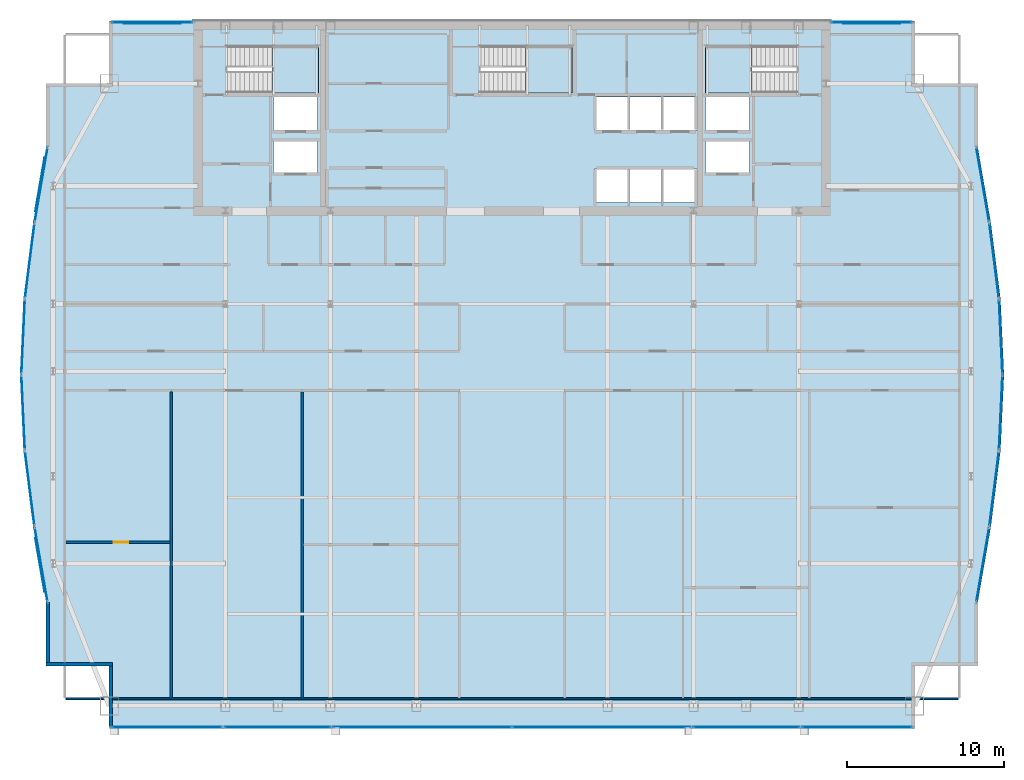
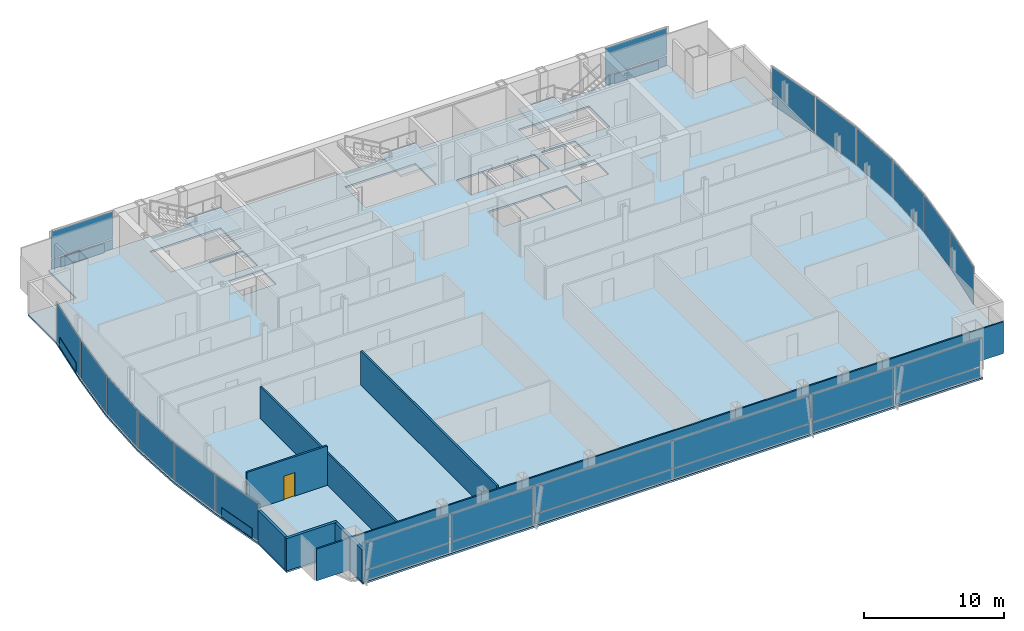
# One storey, part 24 of 30: 32 plates, 7 walls, 4 slabs, 1 door, 1 opening, 22 elements without a shape of their own.
"""IFC4 building model written with IfcOpenShell, lengths in metres."""

from ifc_helpers import new_model, si_unit, direction, frame, frame_2d, origin, origin_2d, place, context, subcontext, project, spatial, polyline, rectangle, outline, extrude, material, layer, layer_set, type_object, element, fill, aggregate, save


model = new_model("IFC4")

# Units and contexts
model_context = context("Model", 3, precision=1e-05, world=origin(), true_north=direction((0.0, 1.0)))
body_context = subcontext(model_context, "Body", "Model", "MODEL_VIEW")
ifc_project = project(units=[si_unit("LENGTHUNIT", "METRE"), si_unit("AREAUNIT", "SQUARE_METRE"), si_unit("VOLUMEUNIT", "CUBIC_METRE"), si_unit("PLANEANGLEUNIT", "RADIAN"), si_unit("MASSUNIT", "GRAM", prefix="KILO")], contexts=[model_context])

# Site, building, storey
site_placement = place(None, origin())
site = spatial("IfcSite", under=ifc_project, at=site_placement, CompositionType="ELEMENT")
building_placement = place(site_placement, origin())
building = spatial("IfcBuilding", under=site, at=building_placement, Name="Khoronbel Lancet Exchange", CompositionType="ELEMENT")
storey_placement = place(building_placement, frame((0.0, 0.0, 224.60009765625)))
storey = spatial("IfcBuildingStorey", under=building, at=storey_placement, Name="L57", CompositionType="ELEMENT", Elevation=224.60009765625)

# Curtain wall, plate
ifc_material_1 = material(Name="Low-E Solar Control Insulating Glass", Category="glass")
curtain_wall_type_1 = type_object("IfcCurtainWallType", Name="CW-4", PredefinedType="NOTDEFINED", material=ifc_material_1)
curtain_wall_1_placement = place(storey_placement, origin())
curtain_wall_1 = element("IfcCurtainWall", 1, at=curtain_wall_1_placement, inside=storey, type_object=curtain_wall_type_1, Name="Unitised curtain wall CW-L57-E04", PredefinedType="NOTDEFINED")
ifc_material_2 = material(Name="Bronze-Anodised Aluminium 6063-T6", Category="aluminium")
ifc_layer_1 = layer(ifc_material_2, 0.050048828125, Name="Bronze-Anodised Aluminium 6063-T6")
ifc_layer_set_1 = layer_set([ifc_layer_1], Name="Bronze-Anodised Aluminium 6063-T6")
plate_type_1 = type_object("IfcPlateType", Name="PLT-CSP1", PredefinedType="SHEET", material=ifc_layer_set_1)
plate_1_placement = place(storey_placement, frame((6.46142578125, 19.116943359375, 0.0498046875), z_axis=(0.0, 0.0, 1.0), x_axis=(-0.170834165885, 0.985299795883, 0.0)))
plate_1 = element("IfcPlate", 2, at=plate_1_placement, type_object=plate_type_1, Name="Insulated bronze spandrel cassette CW-L57-E04", PredefinedType="SHEET", context=body_context, shape_type="SweptSolid", body=[
    extrude(rectangle(XDim=3.437744140625, YDim=0.050048828125, at=origin_2d()), origin(), (0.0, 0.0, 1.0), 0.800048828125),
])

curtain_wall_2_placement = place(storey_placement, origin())
curtain_wall_2 = element("IfcCurtainWall", 3, at=curtain_wall_2_placement, inside=storey, type_object=curtain_wall_type_1, Name="Unitised curtain wall CW-L57-E05", PredefinedType="NOTDEFINED")
plate_2_placement = place(storey_placement, frame((5.794677734375, 23.960693359375, 0.0849609375), z_axis=(0.0, 0.0, 1.0), x_axis=(-0.125921178381, 0.992040249604, 0.0)))
plate_2 = element("IfcPlate", 4, at=plate_2_placement, type_object=plate_type_1, Name="CW4 panel 1.1", PredefinedType="CURTAIN_PANEL", context=body_context, shape_type="SweptSolid", body=[
    extrude(rectangle(XDim=4.716552734375, YDim=0.0380859375, at=origin_2d()), origin(), (0.0, 0.0, 1.0), 3.27001953125),
])
aggregate(curtain_wall_2, [plate_2])

curtain_wall_3_placement = place(storey_placement, origin())
curtain_wall_3 = element("IfcCurtainWall", 5, at=curtain_wall_3_placement, inside=storey, type_object=curtain_wall_type_1, Name="Unitised curtain wall CW-L57-E06", PredefinedType="NOTDEFINED")
plate_3_placement = place(storey_placement, frame((5.376220703125, 28.787353515625, 0.0849609375), z_axis=(0.0, 0.0, 1.0), x_axis=(-0.046390783703, 0.998923368026, 0.0)))
plate_3 = element("IfcPlate", 6, at=plate_3_placement, type_object=plate_type_1, Name="CW4 panel 1.1", PredefinedType="CURTAIN_PANEL", context=body_context, shape_type="SweptSolid", body=[
    extrude(rectangle(XDim=4.6806640625, YDim=0.0380859375, at=origin_2d()), origin(), (0.0, 0.0, 1.0), 3.27001953125),
])
aggregate(curtain_wall_3, [plate_3])

curtain_wall_4_placement = place(storey_placement, origin())
curtain_wall_4 = element("IfcCurtainWall", 7, at=curtain_wall_4_placement, inside=storey, type_object=curtain_wall_type_1, Name="Unitised curtain wall CW-L57-E07", PredefinedType="NOTDEFINED")
plate_4_placement = place(storey_placement, frame((5.376220703125, 33.61279296875, 0.0849609375), z_axis=(0.0, 0.0, 1.0), x_axis=(0.046390783703, 0.998923368026, 0.0)))
plate_4 = element("IfcPlate", 8, at=plate_4_placement, type_object=plate_type_1, Name="CW4 panel 1.1", PredefinedType="CURTAIN_PANEL", context=body_context, shape_type="SweptSolid", body=[
    extrude(rectangle(XDim=4.6806640625, YDim=0.0380859375, at=origin_2d()), origin(), (0.0, 0.0, 1.0), 3.27001953125),
])
aggregate(curtain_wall_4, [plate_4])

curtain_wall_5_placement = place(storey_placement, origin())
curtain_wall_5 = element("IfcCurtainWall", 9, at=curtain_wall_5_placement, inside=storey, type_object=curtain_wall_type_1, Name="Unitised curtain wall CW-L57-E08", PredefinedType="NOTDEFINED")
plate_5_placement = place(storey_placement, frame((5.794677734375, 38.439453125, 0.0849609375), z_axis=(0.0, 0.0, 1.0), x_axis=(0.125921178381, 0.992040249604, 0.0)))
plate_5 = element("IfcPlate", 10, at=plate_5_placement, type_object=plate_type_1, Name="CW4 panel 1.1", PredefinedType="CURTAIN_PANEL", context=body_context, shape_type="SweptSolid", body=[
    extrude(rectangle(XDim=4.716552734375, YDim=0.0380859375, at=origin_2d()), origin(), (0.0, 0.0, 1.0), 3.27001953125),
])
aggregate(curtain_wall_5, [plate_5])

curtain_wall_6_placement = place(storey_placement, origin())
curtain_wall_6 = element("IfcCurtainWall", 11, at=curtain_wall_6_placement, inside=storey, type_object=curtain_wall_type_1, Name="Unitised curtain wall CW-L57-E09", PredefinedType="NOTDEFINED")
plate_6_placement = place(storey_placement, frame((6.46142578125, 43.283203125, 0.0498046875), z_axis=(0.0, 0.0, 1.0), x_axis=(0.170834165885, 0.985299795883, 0.0)))
plate_6 = element("IfcPlate", 12, at=plate_6_placement, type_object=plate_type_1, Name="Insulated bronze spandrel cassette CW-L57-E09", PredefinedType="SHEET", context=body_context, shape_type="SweptSolid", body=[
    extrude(rectangle(XDim=3.437744140625, YDim=0.050048828125, at=origin_2d()), origin(), (0.0, 0.0, 1.0), 0.800048828125),
])

curtain_wall_type_2 = type_object("IfcCurtainWallType", Name="CW-3", PredefinedType="NOTDEFINED", material=ifc_material_1)
curtain_wall_7_placement = place(storey_placement, origin())
curtain_wall_7 = element("IfcCurtainWall", 13, at=curtain_wall_7_placement, inside=storey, type_object=curtain_wall_type_2, Name="Unitised curtain wall CW-L57-NWFLK", PredefinedType="NOTDEFINED")
plate_7_placement = place(storey_placement, frame((13.580078125, 53.550048828125, 0.0498046875), z_axis=(0.0, 0.0, 1.0), x_axis=(-1.0, 0.0, 0.0)))
plate_7 = element("IfcPlate", 14, at=plate_7_placement, type_object=plate_type_1, Name="Insulated bronze spandrel cassette CW-L57-NWFLK", PredefinedType="SHEET", context=body_context, shape_type="SweptSolid", body=[
    extrude(rectangle(XDim=3.60009765625, YDim=0.050048828125, at=origin_2d()), origin(), (0.0, 0.0, 1.0), 0.800048828125),
])

curtain_wall_8_placement = place(storey_placement, origin())
curtain_wall_8 = element("IfcCurtainWall", 15, at=curtain_wall_8_placement, inside=storey, type_object=curtain_wall_type_2, Name="Unitised curtain wall CW-L57-NEFLK", PredefinedType="NOTDEFINED")
plate_8_placement = place(storey_placement, frame((59.320068359375, 53.550048828125, 0.0498046875), z_axis=(0.0, 0.0, 1.0), x_axis=(-1.0, 0.0, 0.0)))
plate_8 = element("IfcPlate", 16, at=plate_8_placement, type_object=plate_type_1, Name="Insulated bronze spandrel cassette CW-L57-NEFLK", PredefinedType="SHEET", context=body_context, shape_type="SweptSolid", body=[
    extrude(rectangle(XDim=3.60009765625, YDim=0.050048828125, at=origin_2d()), origin(), (0.0, 0.0, 1.0), 0.800048828125),
])

curtain_wall_9_placement = place(storey_placement, origin())
curtain_wall_9 = element("IfcCurtainWall", 17, at=curtain_wall_9_placement, inside=storey, type_object=curtain_wall_type_1, Name="Unitised curtain wall CW-L57-E18", PredefinedType="NOTDEFINED")
plate_9_placement = place(storey_placement, frame((67.10546875, 38.439453125, 0.0849609375), z_axis=(0.0, 0.0, 1.0), x_axis=(0.125921178381, -0.992040249604, 0.0)))
plate_9 = element("IfcPlate", 18, at=plate_9_placement, type_object=plate_type_1, Name="CW4 panel 1.1", PredefinedType="CURTAIN_PANEL", context=body_context, shape_type="SweptSolid", body=[
    extrude(rectangle(XDim=4.716552734375, YDim=0.0380859375, at=origin_2d()), origin(), (0.0, 0.0, 1.0), 3.27001953125),
])
aggregate(curtain_wall_9, [plate_9])

curtain_wall_10_placement = place(storey_placement, origin())
curtain_wall_10 = element("IfcCurtainWall", 19, at=curtain_wall_10_placement, inside=storey, type_object=curtain_wall_type_1, Name="Unitised curtain wall CW-L57-E19", PredefinedType="NOTDEFINED")
plate_10_placement = place(storey_placement, frame((67.52392578125, 33.61279296875, 0.0849609375), z_axis=(0.0, 0.0, 1.0), x_axis=(0.046390783703, -0.998923368026, 0.0)))
plate_10 = element("IfcPlate", 20, at=plate_10_placement, type_object=plate_type_1, Name="CW4 panel 1.1", PredefinedType="CURTAIN_PANEL", context=body_context, shape_type="SweptSolid", body=[
    extrude(rectangle(XDim=4.6806640625, YDim=0.0380859375, at=origin_2d()), origin(), (0.0, 0.0, 1.0), 3.27001953125),
])
aggregate(curtain_wall_10, [plate_10])

curtain_wall_11_placement = place(storey_placement, origin())
curtain_wall_11 = element("IfcCurtainWall", 21, at=curtain_wall_11_placement, inside=storey, type_object=curtain_wall_type_1, Name="Unitised curtain wall CW-L57-E20", PredefinedType="NOTDEFINED")
plate_11_placement = place(storey_placement, frame((67.52392578125, 28.787353515625, 0.0849609375), z_axis=(0.0, 0.0, 1.0), x_axis=(-0.046390783703, -0.998923368026, 0.0)))
plate_11 = element("IfcPlate", 22, at=plate_11_placement, type_object=plate_type_1, Name="CW4 panel 1.1", PredefinedType="CURTAIN_PANEL", context=body_context, shape_type="SweptSolid", body=[
    extrude(rectangle(XDim=4.6806640625, YDim=0.0380859375, at=origin_2d()), origin(), (0.0, 0.0, 1.0), 3.27001953125),
])
aggregate(curtain_wall_11, [plate_11])

curtain_wall_12_placement = place(storey_placement, origin())
curtain_wall_12 = element("IfcCurtainWall", 23, at=curtain_wall_12_placement, inside=storey, type_object=curtain_wall_type_1, Name="Unitised curtain wall CW-L57-E21", PredefinedType="NOTDEFINED")
plate_12_placement = place(storey_placement, frame((67.10546875, 23.960693359375, 0.0849609375), z_axis=(0.0, 0.0, 1.0), x_axis=(-0.125921178381, -0.992040249604, 0.0)))
plate_12 = element("IfcPlate", 24, at=plate_12_placement, type_object=plate_type_1, Name="CW4 panel 1.1", PredefinedType="CURTAIN_PANEL", context=body_context, shape_type="SweptSolid", body=[
    extrude(rectangle(XDim=4.716552734375, YDim=0.0380859375, at=origin_2d()), origin(), (0.0, 0.0, 1.0), 3.27001953125),
])
aggregate(curtain_wall_12, [plate_12])

# Curtain wall, plates
curtain_wall_13_placement = place(storey_placement, origin())
curtain_wall_13 = element("IfcCurtainWall", 25, at=curtain_wall_13_placement, inside=storey, type_object=curtain_wall_type_2, Name="Unitised curtain wall CW-L57-SWB", PredefinedType="NOTDEFINED")
plate_13_placement = place(storey_placement, frame((21.550048828125, 8.7900390625, 0.0849609375), z_axis=(0.0, 0.0, 1.0), x_axis=(1.0, 0.0, 0.0)))
plate_13 = element("IfcPlate", 26, at=plate_13_placement, type_object=plate_type_1, Name="CW3 panel 1.1", PredefinedType="CURTAIN_PANEL", context=body_context, shape_type="SweptSolid", body=[
    extrude(rectangle(XDim=6.72998046875, YDim=0.0380859375, at=origin_2d()), origin(), (0.0, 0.0, 1.0), 0.822509765625),
])
plate_14_placement = place(storey_placement, frame((21.550048828125, 8.7900390625, 0.9921875), z_axis=(0.0, 0.0, 1.0), x_axis=(1.0, 0.0, 0.0)))
plate_14 = element("IfcPlate", 27, at=plate_14_placement, type_object=plate_type_1, Name="CW3 panel 1.2", PredefinedType="CURTAIN_PANEL", context=body_context, shape_type="SweptSolid", body=[
    extrude(rectangle(XDim=6.72998046875, YDim=0.0380859375, at=origin_2d()), origin(), (0.0, 0.0, 1.0), 2.362548828125),
])
aggregate(curtain_wall_13, [plate_13, plate_14])

curtain_wall_14_placement = place(storey_placement, origin())
curtain_wall_14 = element("IfcCurtainWall", 28, at=curtain_wall_14_placement, inside=storey, type_object=curtain_wall_type_2, Name="Unitised curtain wall CW-L57-SEB", PredefinedType="NOTDEFINED")
plate_15_placement = place(storey_placement, frame((51.35009765625, 8.7900390625, 0.0849609375), z_axis=(0.0, 0.0, 1.0), x_axis=(1.0, 0.0, 0.0)))
plate_15 = element("IfcPlate", 29, at=plate_15_placement, type_object=plate_type_1, Name="CW3 panel 1.1", PredefinedType="CURTAIN_PANEL", context=body_context, shape_type="SweptSolid", body=[
    extrude(rectangle(XDim=6.72998046875, YDim=0.0380859375, at=origin_2d()), origin(), (0.0, 0.0, 1.0), 0.822509765625),
])
plate_16_placement = place(storey_placement, frame((51.35009765625, 8.7900390625, 0.9921875), z_axis=(0.0, 0.0, 1.0), x_axis=(1.0, 0.0, 0.0)))
plate_16 = element("IfcPlate", 30, at=plate_16_placement, type_object=plate_type_1, Name="CW3 panel 1.2", PredefinedType="CURTAIN_PANEL", context=body_context, shape_type="SweptSolid", body=[
    extrude(rectangle(XDim=6.72998046875, YDim=0.0380859375, at=origin_2d()), origin(), (0.0, 0.0, 1.0), 2.362548828125),
])
aggregate(curtain_wall_14, [plate_15, plate_16])

# Plate
ifc_layer_2 = layer(ifc_material_1, 0.035888671875, Name="Low-E Solar Control Insulating Glass")
ifc_layer_set_2 = layer_set([ifc_layer_2], Name="Low-E Solar Control Insulating Glass")
plate_type_2 = type_object("IfcPlateType", Name="PLT-CWP1", PredefinedType="CURTAIN_PANEL", material=ifc_layer_set_2)
plate_17_placement = place(storey_placement, frame((13.580078125, 53.610107421875, 0.0849609375), z_axis=(0.0, 0.0, 1.0), x_axis=(-1.0, 0.0, 0.0)))
plate_17 = element("IfcPlate", 31, at=plate_17_placement, type_object=plate_type_2, Name="CW3 panel 1.1", PredefinedType="CURTAIN_PANEL", context=body_context, shape_type="SweptSolid", body=[
    extrude(rectangle(XDim=5.110107421875, YDim=0.0380859375, at=origin_2d()), origin(), (0.0, 0.0, 1.0), 0.822509765625),
])

plate_18_placement = place(storey_placement, frame((13.580078125, 53.610107421875, 0.9921875), z_axis=(0.0, 0.0, 1.0), x_axis=(-1.0, 0.0, 0.0)))
plate_18 = element("IfcPlate", 32, at=plate_18_placement, type_object=plate_type_2, Name="CW3 panel 1.2", PredefinedType="CURTAIN_PANEL", context=body_context, shape_type="SweptSolid", body=[
    extrude(rectangle(XDim=5.110107421875, YDim=0.0380859375, at=origin_2d()), origin(), (0.0, 0.0, 1.0), 2.362548828125),
])

aggregate(curtain_wall_7, [plate_17, plate_18, plate_7])

plate_19_placement = place(storey_placement, frame((59.320068359375, 53.610107421875, 0.0849609375), z_axis=(0.0, 0.0, 1.0), x_axis=(-1.0, 0.0, 0.0)))
plate_19 = element("IfcPlate", 33, at=plate_19_placement, type_object=plate_type_2, Name="CW3 panel 1.1", PredefinedType="CURTAIN_PANEL", context=body_context, shape_type="SweptSolid", body=[
    extrude(rectangle(XDim=5.110107421875, YDim=0.0380859375, at=origin_2d()), origin(), (0.0, 0.0, 1.0), 0.822509765625),
])

plate_20_placement = place(storey_placement, frame((59.320068359375, 53.610107421875, 0.9921875), z_axis=(0.0, 0.0, 1.0), x_axis=(-1.0, 0.0, 0.0)))
plate_20 = element("IfcPlate", 34, at=plate_20_placement, type_object=plate_type_2, Name="CW3 panel 1.2", PredefinedType="CURTAIN_PANEL", context=body_context, shape_type="SweptSolid", body=[
    extrude(rectangle(XDim=5.110107421875, YDim=0.0380859375, at=origin_2d()), origin(), (0.0, 0.0, 1.0), 2.362548828125),
])

aggregate(curtain_wall_8, [plate_19, plate_20, plate_8])

# Curtain wall, plates
curtain_wall_15_placement = place(storey_placement, origin())
curtain_wall_15 = element("IfcCurtainWall", 35, at=curtain_wall_15_placement, inside=storey, type_object=curtain_wall_type_2, Name="Unitised curtain wall CW-L57-SWV", PredefinedType="NOTDEFINED")
plate_21_placement = place(storey_placement, frame((14.52001953125, 8.7900390625, 0.0849609375), z_axis=(0.0, 0.0, 1.0), x_axis=(1.0, 0.0, 0.0)))
plate_21 = element("IfcPlate", 36, at=plate_21_placement, type_object=plate_type_2, Name="CW3 panel 1.1", PredefinedType="CURTAIN_PANEL", context=body_context, shape_type="SweptSolid", body=[
    extrude(rectangle(XDim=6.989990234375, YDim=0.0380859375, at=origin_2d()), origin(), (0.0, 0.0, 1.0), 0.822509765625),
])
plate_22_placement = place(storey_placement, frame((14.52001953125, 8.7900390625, 0.9921875), z_axis=(0.0, 0.0, 1.0), x_axis=(1.0, 0.0, 0.0)))
plate_22 = element("IfcPlate", 37, at=plate_22_placement, type_object=plate_type_2, Name="CW3 panel 1.2", PredefinedType="CURTAIN_PANEL", context=body_context, shape_type="SweptSolid", body=[
    extrude(rectangle(XDim=6.989990234375, YDim=0.0380859375, at=origin_2d()), origin(), (0.0, 0.0, 1.0), 2.362548828125),
])
aggregate(curtain_wall_15, [plate_21, plate_22])

curtain_wall_16_placement = place(storey_placement, origin())
curtain_wall_16 = element("IfcCurtainWall", 38, at=curtain_wall_16_placement, inside=storey, type_object=curtain_wall_type_2, Name="Unitised curtain wall CW-L57-SCV", PredefinedType="NOTDEFINED")
plate_23_placement = place(storey_placement, frame((30.746337890625, 8.7900390625, 0.0849609375), z_axis=(0.0, 0.0, 1.0), x_axis=(1.0, 0.0, 0.0)))
plate_23 = element("IfcPlate", 39, at=plate_23_placement, type_object=plate_type_2, Name="CW3 panel 1.1", PredefinedType="CURTAIN_PANEL", context=body_context, shape_type="SweptSolid", body=[
    extrude(rectangle(XDim=11.322509765625, YDim=0.0380859375, at=origin_2d()), origin(), (0.0, 0.0, 1.0), 0.822509765625),
])
plate_24_placement = place(storey_placement, frame((30.746337890625, 8.7900390625, 0.9921875), z_axis=(0.0, 0.0, 1.0), x_axis=(1.0, 0.0, 0.0)))
plate_24 = element("IfcPlate", 40, at=plate_24_placement, type_object=plate_type_2, Name="CW3 panel 1.2", PredefinedType="CURTAIN_PANEL", context=body_context, shape_type="SweptSolid", body=[
    extrude(rectangle(XDim=11.322509765625, YDim=0.0380859375, at=origin_2d()), origin(), (0.0, 0.0, 1.0), 2.362548828125),
])
plate_25_placement = place(storey_placement, frame((42.15380859375, 8.7900390625, 0.0849609375), z_axis=(0.0, 0.0, 1.0), x_axis=(1.0, 0.0, 0.0)))
plate_25 = element("IfcPlate", 41, at=plate_25_placement, type_object=plate_type_2, Name="CW3 panel 2.1", PredefinedType="CURTAIN_PANEL", context=body_context, shape_type="SweptSolid", body=[
    extrude(rectangle(XDim=11.322509765625, YDim=0.0380859375, at=origin_2d()), origin(), (0.0, 0.0, 1.0), 0.822509765625),
])
plate_26_placement = place(storey_placement, frame((42.15380859375, 8.7900390625, 0.9921875), z_axis=(0.0, 0.0, 1.0), x_axis=(1.0, 0.0, 0.0)))
plate_26 = element("IfcPlate", 42, at=plate_26_placement, type_object=plate_type_2, Name="CW3 panel 2.2", PredefinedType="CURTAIN_PANEL", context=body_context, shape_type="SweptSolid", body=[
    extrude(rectangle(XDim=11.322509765625, YDim=0.0380859375, at=origin_2d()), origin(), (0.0, 0.0, 1.0), 2.362548828125),
])
aggregate(curtain_wall_16, [plate_23, plate_24, plate_25, plate_26])

curtain_wall_17_placement = place(storey_placement, origin())
curtain_wall_17 = element("IfcCurtainWall", 43, at=curtain_wall_17_placement, inside=storey, type_object=curtain_wall_type_2, Name="Unitised curtain wall CW-L57-SEV", PredefinedType="NOTDEFINED")
plate_27_placement = place(storey_placement, frame((58.3798828125, 8.7900390625, 0.0849609375), z_axis=(0.0, 0.0, 1.0), x_axis=(1.0, 0.0, 0.0)))
plate_27 = element("IfcPlate", 44, at=plate_27_placement, type_object=plate_type_2, Name="CW3 panel 1.1", PredefinedType="CURTAIN_PANEL", context=body_context, shape_type="SweptSolid", body=[
    extrude(rectangle(XDim=6.989990234375, YDim=0.0380859375, at=origin_2d()), origin(), (0.0, 0.0, 1.0), 0.822509765625),
])
plate_28_placement = place(storey_placement, frame((58.3798828125, 8.7900390625, 0.9921875), z_axis=(0.0, 0.0, 1.0), x_axis=(1.0, 0.0, 0.0)))
plate_28 = element("IfcPlate", 45, at=plate_28_placement, type_object=plate_type_2, Name="CW3 panel 1.2", PredefinedType="CURTAIN_PANEL", context=body_context, shape_type="SweptSolid", body=[
    extrude(rectangle(XDim=6.989990234375, YDim=0.0380859375, at=origin_2d()), origin(), (0.0, 0.0, 1.0), 2.362548828125),
])
aggregate(curtain_wall_17, [plate_27, plate_28])

# Plate
ifc_material_3 = material(Name="Ceramic-Fritted Laminated Insulating Glass", Category="glass")
ifc_layer_3 = layer(ifc_material_3, 0.0419921875, Name="Ceramic-Fritted Laminated Insulating Glass")
ifc_layer_set_3 = layer_set([ifc_layer_3], Name="Ceramic-Fritted Laminated Insulating Glass")
plate_type_3 = type_object("IfcPlateType", Name="PLT-CWP2", PredefinedType="CURTAIN_PANEL", material=ifc_layer_set_3)
plate_29_placement = place(storey_placement, frame((6.5205078125, 19.127197265625, 0.0849609375), z_axis=(0.0, 0.0, 1.0), x_axis=(-0.170834165885, 0.985299795883, 0.0)))
plate_29 = element("IfcPlate", 46, at=plate_29_placement, type_object=plate_type_3, Name="CW4 panel 1.1", PredefinedType="CURTAIN_PANEL", context=body_context, shape_type="SweptSolid", body=[
    extrude(rectangle(XDim=4.76123046875, YDim=0.0380859375, at=origin_2d()), origin(), (0.0, 0.0, 1.0), 3.27001953125),
])

aggregate(curtain_wall_1, [plate_29, plate_1])

plate_30_placement = place(storey_placement, frame((6.5205078125, 43.272705078125, 0.0849609375), z_axis=(0.0, 0.0, 1.0), x_axis=(0.170834165885, 0.985299795883, 0.0)))
plate_30 = element("IfcPlate", 47, at=plate_30_placement, type_object=plate_type_3, Name="CW4 panel 1.1", PredefinedType="CURTAIN_PANEL", context=body_context, shape_type="SweptSolid", body=[
    extrude(rectangle(XDim=4.76123046875, YDim=0.0380859375, at=origin_2d()), origin(), (0.0, 0.0, 1.0), 3.27001953125),
])

aggregate(curtain_wall_6, [plate_30, plate_6])

# Curtain wall, plate
curtain_wall_18_placement = place(storey_placement, origin())
curtain_wall_18 = element("IfcCurtainWall", 48, at=curtain_wall_18_placement, inside=storey, type_object=curtain_wall_type_1, Name="Unitised curtain wall CW-L57-E17", PredefinedType="NOTDEFINED")
plate_31_placement = place(storey_placement, frame((66.37939453125, 43.272705078125, 0.0849609375), z_axis=(0.0, 0.0, 1.0), x_axis=(0.170834165885, -0.985299795883, 0.0)))
plate_31 = element("IfcPlate", 49, at=plate_31_placement, type_object=plate_type_3, Name="CW4 panel 1.1", PredefinedType="CURTAIN_PANEL", context=body_context, shape_type="SweptSolid", body=[
    extrude(rectangle(XDim=4.76123046875, YDim=0.0380859375, at=origin_2d()), origin(), (0.0, 0.0, 1.0), 3.27001953125),
])
aggregate(curtain_wall_18, [plate_31])

curtain_wall_19_placement = place(storey_placement, origin())
curtain_wall_19 = element("IfcCurtainWall", 50, at=curtain_wall_19_placement, inside=storey, type_object=curtain_wall_type_1, Name="Unitised curtain wall CW-L57-E22", PredefinedType="NOTDEFINED")
plate_32_placement = place(storey_placement, frame((66.37939453125, 19.127197265625, 0.0849609375), z_axis=(0.0, 0.0, 1.0), x_axis=(-0.170834165885, -0.985299795883, 0.0)))
plate_32 = element("IfcPlate", 51, at=plate_32_placement, type_object=plate_type_3, Name="CW4 panel 1.1", PredefinedType="CURTAIN_PANEL", context=body_context, shape_type="SweptSolid", body=[
    extrude(rectangle(XDim=4.76123046875, YDim=0.0380859375, at=origin_2d()), origin(), (0.0, 0.0, 1.0), 3.27001953125),
])
aggregate(curtain_wall_19, [plate_32])

# Slab
ifc_material_4 = material(Name="Concrete C40/50", Category="concrete")
ifc_layer_4 = layer(ifc_material_4, 0.159912109375, Name="Concrete C40/50")
ifc_layer_set_4 = layer_set([ifc_layer_4], Name="Concrete C40/50")
slab_type_1 = type_object("IfcSlabType", Name="SL-FL160", PredefinedType="FLOOR", material=ifc_layer_set_4)
slab_1_placement = place(storey_placement, frame((0.0, 0.0, -0.16015625)))
element("IfcSlab", 52, at=slab_1_placement, inside=storey, type_object=slab_type_1, Name="Level L57 composite structural floor slab", PredefinedType="FLOOR", context=body_context, shape_type="SweptSolid", body=[
    extrude(outline(polyline([(10.85009765625, 8.699951171875), (62.050048828125, 8.699951171875), (62.050048828125, 12.699951171875), (66.050048828125, 12.699951171875), (66.050048828125, 16.699951171875), (66.887939453125, 21.533203125), (67.50146484375, 26.36669921875), (67.72607421875, 31.199951171875), (67.50146484375, 36.033203125), (66.887939453125, 40.86669921875), (66.050048828125, 45.699951171875), (66.050048828125, 49.699951171875), (62.050048828125, 49.699951171875), (62.050048828125, 53.699951171875), (10.85009765625, 53.699951171875), (10.85009765625, 49.699951171875), (6.85009765625, 49.699951171875), (6.85009765625, 45.699951171875), (6.011962890625, 40.86669921875), (5.3984375, 36.033203125), (5.174072265625, 31.199951171875), (5.3984375, 26.36669921875), (6.011962890625, 21.533203125), (6.85009765625, 16.699951171875), (6.85009765625, 12.699951171875), (10.85009765625, 12.699951171875), (10.85009765625, 8.699951171875)]), holes=[polyline([(18.324951171875, 49.1201171875), (24.14990234375, 49.1201171875), (24.14990234375, 52.10009765625), (18.324951171875, 52.10009765625), (18.324951171875, 49.1201171875)]), polyline([(48.75, 49.1201171875), (54.574951171875, 49.1201171875), (54.574951171875, 52.10009765625), (48.75, 52.10009765625), (48.75, 49.1201171875)]), polyline([(34.425048828125, 49.1201171875), (40.25, 49.1201171875), (40.25, 52.10009765625), (34.425048828125, 52.10009765625), (34.425048828125, 49.1201171875)]), polyline([(41.739990234375, 46.75), (43.8798828125, 46.75), (43.8798828125, 48.85009765625), (41.739990234375, 48.85009765625), (41.739990234375, 46.75)]), polyline([(43.89990234375, 46.75), (46.0400390625, 46.75), (46.0400390625, 48.85009765625), (43.89990234375, 48.85009765625), (43.89990234375, 46.75)]), polyline([(46.06005859375, 46.75), (48.199951171875, 46.75), (48.199951171875, 48.85009765625), (46.06005859375, 48.85009765625), (46.06005859375, 46.75)]), polyline([(41.739990234375, 42.14990234375), (43.8798828125, 42.14990234375), (43.8798828125, 44.300048828125), (41.739990234375, 44.300048828125), (41.739990234375, 42.14990234375)]), polyline([(43.89990234375, 42.14990234375), (46.0400390625, 42.14990234375), (46.0400390625, 44.300048828125), (43.89990234375, 44.300048828125), (43.89990234375, 42.14990234375)]), polyline([(46.06005859375, 42.14990234375), (48.199951171875, 42.14990234375), (48.199951171875, 44.300048828125), (46.06005859375, 44.300048828125), (46.06005859375, 42.14990234375)]), polyline([(21.300048828125, 46.75), (24.10009765625, 46.75), (24.10009765625, 48.85009765625), (21.300048828125, 48.85009765625), (21.300048828125, 46.75)]), polyline([(48.75, 46.75), (51.550048828125, 46.75), (51.550048828125, 48.85009765625), (48.75, 48.85009765625), (48.75, 46.75)]), polyline([(21.300048828125, 44.050048828125), (24.10009765625, 44.050048828125), (24.10009765625, 46.050048828125), (21.300048828125, 46.050048828125), (21.300048828125, 44.050048828125)]), polyline([(48.75, 44.050048828125), (51.550048828125, 44.050048828125), (51.550048828125, 46.050048828125), (48.75, 46.050048828125), (48.75, 44.050048828125)])]), origin(), (0.0, 0.0, 1.0), 0.16015625),
])

# Stair, slab
stair_type = type_object("IfcStairType", Name="STR-CORE150", PredefinedType="HALF_TURN_STAIR", material=ifc_material_4)
stair_1_placement = place(storey_placement, origin())
stair_1 = element("IfcStair", 53, at=stair_1_placement, inside=storey, type_object=stair_type, Name="L57 Protected Exit Stair ST1", PredefinedType="HALF_TURN_STAIR")
ifc_layer_5 = layer(ifc_material_4, 0.199951171875, Name="Concrete C40/50")
ifc_layer_set_5 = layer_set([ifc_layer_5], Name="Concrete C40/50")
slab_type_2 = type_object("IfcSlabType", Name="SL-LND180", PredefinedType="LANDING", material=ifc_layer_set_5)
slab_2_placement = place(storey_placement, frame((0.0, 0.0, 1.599853515625)))
slab_2 = element("IfcSlab", 54, at=slab_2_placement, type_object=slab_type_2, Name="ST1 landing 1", PredefinedType="LANDING", context=body_context, shape_type="SweptSolid", body=[
    extrude(outline(polyline([(21.199951171875, 49.1201171875), (24.14990234375, 49.1201171875), (24.14990234375, 52.10009765625), (21.199951171875, 52.10009765625), (21.199951171875, 49.1201171875)])), origin(), (0.0, 0.0, 1.0), 0.199951171875),
])
aggregate(stair_1, [slab_2])

stair_2_placement = place(storey_placement, origin())
stair_2 = element("IfcStair", 55, at=stair_2_placement, inside=storey, type_object=stair_type, Name="L57 Protected Exit Stair ST2", PredefinedType="HALF_TURN_STAIR")
slab_3_placement = place(storey_placement, frame((0.0, 0.0, 1.599853515625)))
slab_3 = element("IfcSlab", 56, at=slab_3_placement, type_object=slab_type_2, Name="ST2 landing 1", PredefinedType="LANDING", context=body_context, shape_type="SweptSolid", body=[
    extrude(outline(polyline([(51.699951171875, 52.10009765625), (48.75, 52.10009765625), (48.75, 49.1201171875), (51.699951171875, 49.1201171875), (51.699951171875, 52.10009765625)])), origin(), (0.0, 0.0, 1.0), 0.199951171875),
])
aggregate(stair_2, [slab_3])

stair_3_placement = place(storey_placement, origin())
stair_3 = element("IfcStair", 57, at=stair_3_placement, inside=storey, type_object=stair_type, Name="L57 Protected Exit Stair ST3", PredefinedType="HALF_TURN_STAIR")
slab_4_placement = place(storey_placement, frame((0.0, 0.0, 1.599853515625)))
slab_4 = element("IfcSlab", 58, at=slab_4_placement, type_object=slab_type_2, Name="ST3 landing 1", PredefinedType="LANDING", context=body_context, shape_type="SweptSolid", body=[
    extrude(outline(polyline([(37.300048828125, 49.1201171875), (40.25, 49.1201171875), (40.25, 52.10009765625), (37.300048828125, 52.10009765625), (37.300048828125, 49.1201171875)])), origin(), (0.0, 0.0, 1.0), 0.199951171875),
])
aggregate(stair_3, [slab_4])

# Walls
ifc_material_5 = material(Name="Precast concrete C40/50", Category="concrete")
ifc_layer_6 = layer(ifc_material_5, 0.25, Name="Precast concrete C40/50")
ifc_layer_set_6 = layer_set([ifc_layer_6], Name="Precast concrete C40/50")
wall_type_1 = type_object("IfcWallType", Name="WL-EXT250", PredefinedType="SOLIDWALL", material=ifc_layer_set_6)
wall_1_placement = place(storey_placement, frame((10.93994140625, 8.77001953125, 0.0), z_axis=(0.0, 0.0, 1.0), x_axis=(0.0, 1.0, 0.0)))
element("IfcWall", 59, at=wall_1_placement, inside=storey, type_object=wall_type_1, Name="Level L57 notched-corner limestone pier 01", PredefinedType="SOLIDWALL", context=body_context, shape_type="SweptSolid", body=[
    extrude(rectangle(XDim=3.909912109375, YDim=0.219970703125, at=frame_2d((1.955078125, 0.0))), origin(), (0.0, 0.0, 1.0), 2.829833984375),
])
wall_2_placement = place(storey_placement, frame((11.050048828125, 12.7900390625, 0.0), z_axis=(0.0, 0.0, 1.0), x_axis=(-1.0, 0.0, 0.0)))
element("IfcWall", 60, at=wall_2_placement, inside=storey, type_object=wall_type_1, Name="Level L57 notched-corner limestone pier 02", PredefinedType="SOLIDWALL", context=body_context, shape_type="SweptSolid", body=[
    extrude(rectangle(XDim=4.219970703125, YDim=0.219970703125, at=frame_2d((2.10986328125, 0.0))), origin(), (0.0, 0.0, 1.0), 2.829833984375),
])
wall_3_placement = place(storey_placement, frame((6.93994140625, 12.89990234375, 0.0), z_axis=(0.0, 0.0, 1.0), x_axis=(0.0, 1.0, 0.0)))
element("IfcWall", 61, at=wall_3_placement, inside=storey, type_object=wall_type_1, Name="Level L57 notched-corner limestone pier 03", PredefinedType="SOLIDWALL", context=body_context, shape_type="SweptSolid", body=[
    extrude(rectangle(XDim=3.827880859375, YDim=0.219970703125, at=frame_2d((1.9140625, 0.0))), origin(), (0.0, 0.0, 1.0), 2.829833984375),
])

# Wall, opening, door
ifc_material_6 = material(Name="Acoustic Metal-Stud & Mineral-Wool Gypsum Partition 120 mm", Category="gypsum")
ifc_layer_7 = layer(ifc_material_6, 0.1201171875, Name="Acoustic Metal-Stud & Mineral-Wool Gypsum Partition 120 mm")
ifc_layer_set_7 = layer_set([ifc_layer_7], Name="Acoustic Metal-Stud & Mineral-Wool Gypsum Partition 120 mm")
wall_type_2 = type_object("IfcWallType", Name="WL-PRT120", PredefinedType="PARTITIONING", material=ifc_layer_set_7)
wall_4_placement = place(storey_placement, frame((8.094970703125, 20.559326171875, 0.0), z_axis=(0.0, 0.0, 1.0), x_axis=(1.0, 0.0, 0.0)))
wall_4 = element("IfcWall", 62, at=wall_4_placement, inside=storey, type_object=wall_type_2, Name="Level L57 interior partition PW-Z3SW-H1", PredefinedType="PARTITIONING", context=body_context, shape_type="SweptSolid", body=[
    extrude(rectangle(XDim=6.622314453125, YDim=0.14990234375, at=frame_2d((3.31103515625, 0.0))), origin(), (0.0, 0.0, 1.0), 3.43994140625),
])
opening_placement = place(wall_4_placement, frame((3.045166015625, 0.0, 0.0)))
opening = element("IfcOpeningElement", 63, at=opening_placement, cuts=wall_4, Name="Opening D5", PredefinedType="OPENING", context=body_context, shape_type="SweptSolid", body=[
    extrude(rectangle(XDim=0.89990234375, YDim=2.050048828125, at=frame_2d((0.449951171875, 1.02490234375))), frame((0.0, 0.0849609375, 0.0), z_axis=(0.0, -1.0, 0.0), x_axis=(1.0, 0.0, 0.0)), (0.0, 0.0, 1.0), 0.169921875),
])
ifc_material_7 = material(Name="Acoustic Timber Pantry & Support Door", Category="wood")
door_type = type_object("IfcDoorType", Name="DR-D5", OperationType="NOTDEFINED", PredefinedType="DOOR", material=ifc_material_7)
door_placement = place(opening_placement, origin())
door = element("IfcDoor", 64, at=door_placement, inside=storey, type_object=door_type, Name="Z3SW inner door 1 L57-1", OperationType="SINGLE_SWING_RIGHT", OverallHeight=2.050048828125, OverallWidth=0.89990234375, PredefinedType="DOOR", context=body_context, shape_type="SweptSolid", body=[
    extrude(rectangle(XDim=0.89990234375, YDim=2.050048828125, at=frame_2d((0.449951171875, 1.02490234375))), frame((0.0, 0.02490234375, 0.0), z_axis=(0.0, -1.0, 0.0), x_axis=(1.0, 0.0, 0.0)), (0.0, 0.0, 1.0), 0.050048828125),
])
fill(opening, door)

# Walls
wall_5_placement = place(storey_placement, frame((8.094970703125, 10.60009765625, 0.0), z_axis=(0.0, 0.0, 1.0), x_axis=(1.0, 0.0, 0.0)))
element("IfcWall", 65, at=wall_5_placement, inside=storey, type_object=wall_type_2, Name="Level L57 interior partition PW-LIN-S", PredefinedType="PARTITIONING", context=body_context, shape_type="SweptSolid", body=[
    extrude(rectangle(XDim=56.7099609375, YDim=0.1201171875, at=frame_2d((28.35498046875, 0.0))), origin(), (0.0, 0.0, 1.0), 2.77978515625),
])
ifc_material_8 = material(Name="Fire-Rated Twin-Stud Acoustic Gypsum Partition 150 mm", Category="gypsum")
ifc_layer_8 = layer(ifc_material_8, 0.14990234375, Name="Fire-Rated Twin-Stud Acoustic Gypsum Partition 150 mm")
ifc_layer_set_8 = layer_set([ifc_layer_8], Name="Fire-Rated Twin-Stud Acoustic Gypsum Partition 150 mm")
wall_type_3 = type_object("IfcWallType", Name="WL-PRT150C", PredefinedType="PARTITIONING", material=ifc_layer_set_8)
wall_6_placement = place(storey_placement, frame((14.797119140625, 10.6650390625, 0.0), z_axis=(0.0, 0.0, 1.0), x_axis=(0.0, 1.0, 0.0)))
element("IfcWall", 66, at=wall_6_placement, inside=storey, type_object=wall_type_3, Name="Level L57 interior partition PW-Z3SW-V1", PredefinedType="PARTITIONING", context=body_context, shape_type="SweptSolid", body=[
    extrude(rectangle(XDim=19.449951171875, YDim=0.14990234375, at=frame_2d((9.72509765625, 0.0))), origin(), (0.0, 0.0, 1.0), 2.77978515625),
])
wall_7_placement = place(storey_placement, frame((23.105224609375, 10.6650390625, 0.0), z_axis=(0.0, 0.0, 1.0), x_axis=(0.0, 1.0, 0.0)))
element("IfcWall", 67, at=wall_7_placement, inside=storey, type_object=wall_type_3, Name="Level L57 interior partition PW-Z3SW-V2", PredefinedType="PARTITIONING", context=body_context, shape_type="SweptSolid", body=[
    extrude(rectangle(XDim=19.449951171875, YDim=0.14990234375, at=frame_2d((9.72509765625, 0.0))), origin(), (0.0, 0.0, 1.0), 2.97998046875),
])

save(model, "model.ifc")
